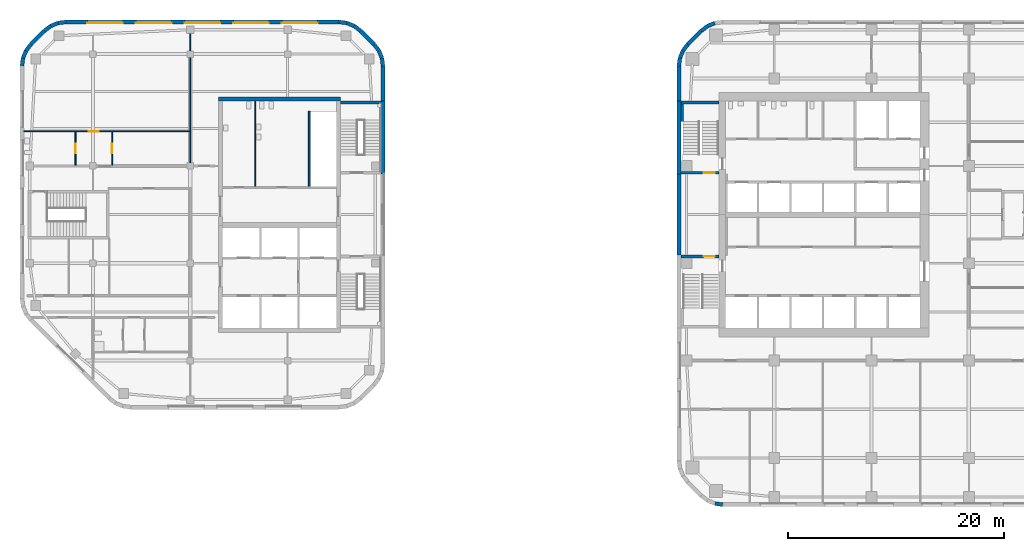
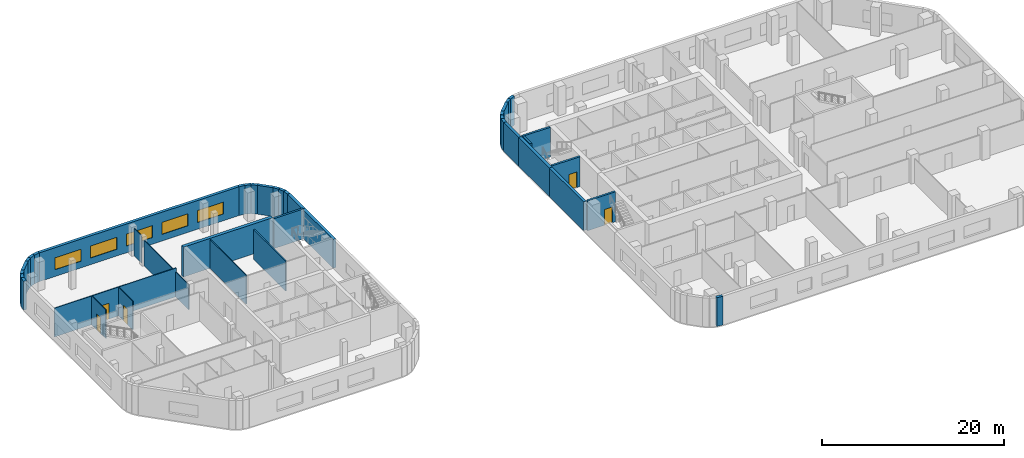
# One storey, part 7 of 14: 41 walls, 5 doors, 5 windows, 10 openings.
"""IFC4 building model written with IfcOpenShell, lengths in metres."""

import ifcopenshell
import ifcopenshell.guid

model = None  # the IFC model being written
_history = None  # IfcOwnerHistory: only IFC2X3 demands one
_inside = {}  # id of a spatial element -> (the spatial element, [elements in it])
_under = {}  # id of a project, library or spatial element -> (it, [spatial elements below it])
_declared = {}  # id of a project -> (the project, [libraries it declares])
_typed = {}  # id of a type object -> (the type object, [elements of that type])
_made_of = {}  # id of a material, layer set ... -> (it, [elements and type objects made of it])


def new_model(schema):
    """Start an empty IFC model of exactly this schema.

    Asked for "IFC4X3", IfcOpenShell would pick the latest addendum, in which some entities
    have other attributes; the version numbers below select the first issue.
    IFC2X3 requires an IfcOwnerHistory on every rooted entity: one is made here for all.
    """
    global model, _history
    if schema == "IFC4X3":
        model = ifcopenshell.file(schema_version=(4, 3, 0, 0))
    else:
        model = ifcopenshell.file(schema=schema)
    _inside.clear()
    _under.clear()
    _declared.clear()
    _typed.clear()
    _made_of.clear()
    _history = None
    if model.schema == "IFC2X3":
        org = make("IfcOrganization", Name="unknown")
        user = make(
            "IfcPersonAndOrganization",
            ThePerson=make("IfcPerson", FamilyName="unknown"),
            TheOrganization=org,
        )
        app = make(
            "IfcApplication",
            ApplicationDeveloper=org,
            Version="unknown",
            ApplicationFullName="unknown",
            ApplicationIdentifier="unknown",
        )
        _history = make(
            "IfcOwnerHistory",
            OwningUser=user,
            OwningApplication=app,
            ChangeAction="ADDED",
            CreationDate=0,
        )
    return model


def make(cls, **values):
    """One entity of the class cls with the attributes given. An attribute that is None is left unset."""
    return model.create_entity(
        cls, **{name: value for name, value in values.items() if value is not None}
    )


def rooted(cls, **values):
    """An entity with a GlobalId (a new one), such as an element, a storey or a relation."""
    return make(cls, GlobalId=ifcopenshell.guid.new(), OwnerHistory=_history, **values)


def si_unit(unit_type, name, prefix=None):
    """IfcSIUnit, for example si_unit("LENGTHUNIT", "METRE", prefix="MILLI")."""
    return make("IfcSIUnit", UnitType=unit_type, Prefix=prefix, Name=name)


def assignment(units):
    """IfcUnitAssignment: the units of a project."""
    return None if units is None else make("IfcUnitAssignment", Units=units)


def point(xyz):
    """IfcCartesianPoint."""
    return None if xyz is None else make("IfcCartesianPoint", Coordinates=xyz)


def direction(xyz):
    """IfcDirection."""
    return None if xyz is None else make("IfcDirection", DirectionRatios=xyz)


def frame(location, z_axis=None, x_axis=None):
    """IfcAxis2Placement3D, a coordinate frame: its origin and axes. An axis left out is left unset."""
    return make(
        "IfcAxis2Placement3D",
        Location=point(location),
        Axis=direction(z_axis),
        RefDirection=direction(x_axis),
    )


def frame_2d(location, x_axis=None):
    """IfcAxis2Placement2D, a coordinate frame in the plane: its origin and x axis."""
    return make(
        "IfcAxis2Placement2D", Location=point(location), RefDirection=direction(x_axis)
    )


def origin():
    """The frame at (0, 0, 0) with its axes left unset."""
    return frame((0.0, 0.0, 0.0))


def place(relative_to, where):
    """IfcLocalPlacement: puts the frame where relative to a parent placement (None: the world)."""
    return make(
        "IfcLocalPlacement", PlacementRelTo=relative_to, RelativePlacement=where
    )


def context(
    kind, dimensions, precision=None, world=None, true_north=None, identifier=None
):
    """IfcGeometricRepresentationContext, for example the 3D "Model" context."""
    return make(
        "IfcGeometricRepresentationContext",
        ContextIdentifier=identifier,
        ContextType=kind,
        CoordinateSpaceDimension=dimensions,
        Precision=precision,
        WorldCoordinateSystem=world,
        TrueNorth=true_north,
    )


def subcontext(parent, identifier, kind, view, scale=None):
    """IfcGeometricRepresentationSubContext, for example "Body" below "Model"."""
    return make(
        "IfcGeometricRepresentationSubContext",
        ContextIdentifier=identifier,
        ContextType=kind,
        ParentContext=parent,
        TargetScale=scale,
        TargetView=view,
    )


def project(units=None, contexts=None):
    """IfcProject with its units and contexts."""
    return rooted(
        "IfcProject",
        Name="project",
        RepresentationContexts=contexts,
        UnitsInContext=assignment(units),
    )


def spatial(cls, under=None, at=None, **own):
    """A site, building, storey or space (cls), placed at a placement, below another one or the project."""
    s = rooted(cls, ObjectPlacement=at, **own)
    if under is not None:
        _under.setdefault(under.id(), (under, []))[1].append(s)
    return s


def profile(cls, at=None, kind="AREA", **sizes):
    """A parametric profile (cls). Its sizes go by their IFC names, for example OverallWidth=200.0."""
    return make(cls, ProfileType=kind, Position=at, **sizes)


def rectangle(**sizes):
    """IfcRectangleProfileDef."""
    return profile("IfcRectangleProfileDef", **sizes)


def extrude(swept, where, along, depth):
    """IfcExtrudedAreaSolid: the profile swept, set in the frame where, extruded along a direction by depth."""
    return make(
        "IfcExtrudedAreaSolid",
        SweptArea=swept,
        Position=where,
        ExtrudedDirection=direction(along),
        Depth=depth,
    )


def shape(context_of_items, identifier, shape_type, items):
    """IfcShapeRepresentation: the items that make up one representation, for example the "Body"."""
    return make(
        "IfcShapeRepresentation",
        ContextOfItems=context_of_items,
        RepresentationIdentifier=identifier,
        RepresentationType=shape_type,
        Items=items,
    )


def material(Name=None, Category=None):
    """IfcMaterial."""
    return make("IfcMaterial", Name=Name, Category=Category)


def layer(
    of_material, thickness, ventilated=None, Name=None, Category=None, Priority=None
):
    """IfcMaterialLayer: one layer of a wall or slab, of a material (None: an air gap)."""
    return make(
        "IfcMaterialLayer",
        Material=of_material,
        LayerThickness=thickness,
        IsVentilated=ventilated,
        Name=Name,
        Category=Category,
        Priority=Priority,
    )


def layer_set(layers, Name=None):
    """IfcMaterialLayerSet."""
    return make("IfcMaterialLayerSet", MaterialLayers=layers, LayerSetName=Name)


def made_of(thing, what):
    """Note that an element or type object is made of a material, layer set ...; save() writes the relation."""
    if what is not None:
        _made_of.setdefault(what.id(), (what, []))[1].append(thing)
    return thing


def type_object(cls, material=None, **own):
    """A type object (cls), such as IfcWallType, which elements share."""
    return made_of(rooted(cls, **own), material)


def element(
    cls,
    number,
    at=None,
    inside=None,
    cuts=None,
    type_object=None,
    material=None,
    context=None,
    identifier="Body",
    shape_type=None,
    held_by="IfcProductDefinitionShape",
    body=None,
    shapes=None,
    **own,
):
    """One element of the class cls, such as IfcWall. Its Tag is "e" and its number.

    at: its placement. inside: the storey or other place that contains it. cuts: it is an
    opening in that element (IfcRelVoidsElement). A single representation is given by context,
    identifier, shape_type and body (its items); several are given by shapes. held_by: the class
    of the entity that holds the representations. save() writes the other relations.
    """
    e = rooted(cls, Tag="e%d" % number, ObjectPlacement=at, **own)
    if body is not None:
        shapes = [shape(context, identifier, shape_type, body)]
    if shapes is not None:
        e.Representation = make(held_by, Representations=shapes)
    if inside is not None:
        _inside.setdefault(inside.id(), (inside, []))[1].append(e)
    if cuts is not None:
        rooted(
            "IfcRelVoidsElement", RelatingBuildingElement=cuts, RelatedOpeningElement=e
        )
    if type_object is not None:
        _typed.setdefault(type_object.id(), (type_object, []))[1].append(e)
    return made_of(e, material)


def fill(opening, filler):
    """IfcRelFillsElement: the door or window that sits in an opening."""
    return rooted(
        "IfcRelFillsElement",
        RelatingOpeningElement=opening,
        RelatedBuildingElement=filler,
    )


def aggregate(whole, parts):
    """IfcRelAggregates: a whole, such as a stair, and the parts it consists of."""
    return rooted("IfcRelAggregates", RelatingObject=whole, RelatedObjects=parts)


def save(model, path):
    """Write the relations noted so far, then the file.

    IfcRelAggregates (storeys below a building ...), IfcRelContainedInSpatialStructure (elements
    in a storey), IfcRelDefinesByType, IfcRelAssociatesMaterial and IfcRelDeclares: one each for
    every whole, place, type object, material and project.
    """
    for whole, parts in _under.values():
        aggregate(whole, parts)
    for where, things in _inside.values():
        rooted(
            "IfcRelContainedInSpatialStructure",
            RelatedElements=things,
            RelatingStructure=where,
        )
    for kind, things in _typed.values():
        rooted("IfcRelDefinesByType", RelatedObjects=things, RelatingType=kind)
    for what, things in _made_of.values():
        rooted("IfcRelAssociatesMaterial", RelatedObjects=things, RelatingMaterial=what)
    for by, libraries in _declared.values():
        rooted("IfcRelDeclares", RelatingContext=by, RelatedDefinitions=libraries)
    model.write(path)


model = new_model("IFC4")

# Units and contexts
model_context = context("Model", 3, precision=1e-05, world=origin(), true_north=direction((0.0, 1.0)))
body_context = subcontext(model_context, "Body", "Model", "MODEL_VIEW")
ifc_project = project(units=[si_unit("LENGTHUNIT", "METRE"), si_unit("AREAUNIT", "SQUARE_METRE"), si_unit("VOLUMEUNIT", "CUBIC_METRE"), si_unit("PLANEANGLEUNIT", "RADIAN"), si_unit("MASSUNIT", "GRAM", prefix="KILO")], contexts=[model_context])

# Site, building, storey
site_placement = place(None, origin())
site = spatial("IfcSite", under=ifc_project, at=site_placement, CompositionType="ELEMENT")
building_placement = place(site_placement, origin())
building = spatial("IfcBuilding", under=site, at=building_placement, Name="Cinnabar Reach Civic Tower", CompositionType="ELEMENT")
storey_placement = place(building_placement, frame((0.0, 0.0, 124.0)))
storey = spatial("IfcBuildingStorey", under=building, at=storey_placement, Name="L29", CompositionType="ELEMENT", Elevation=124.0)

# Walls
ifc_material_1 = material(Name="Facing brick with insulated backing", Category="masonry")
ifc_layer_1 = layer(ifc_material_1, 0.36)
ifc_layer_set_1 = layer_set([ifc_layer_1], Name="Brick corner wall")
wall_type_1 = type_object("IfcWallType", Name="Brick corner wall", PredefinedType="STANDARD", material=ifc_layer_set_1)
wall_1_placement = place(storey_placement, frame((3.5027, 49.2181, 0.0), z_axis=(0.0, 0.0, 1.0), x_axis=(-0.923871547278, -0.382702709855, 0.0)))
element("IfcWall", 1, at=wall_1_placement, inside=storey, type_object=wall_type_1, Name="Brick corner wall", PredefinedType="STANDARD", context=body_context, shape_type="SweptSolid", body=[
    extrude(rectangle(XDim=0.7131, YDim=0.36, at=frame_2d((0.3565, 0.0))), origin(), (0.0, 0.0, 1.0), 3.85),
])
for number, where, z_axis, x_axis, name in (
    (2, (2.8245, 48.934, 0.0), (0.0, 0.0, 1.0), (-0.793321924995, -0.608802368033, 0.0), "Brick corner wall"),
    (3, (1.0002, 47.2413, 0.0), (0.0, 0.0, 1.0), (-0.608802368033, -0.793321924995, 0.0), "Brick corner wall"),
):
    element("IfcWall", number, at=place(storey_placement, frame(where, z_axis=z_axis, x_axis=x_axis)), inside=storey, type_object=wall_type_1, Name=name, PredefinedType="STANDARD", context=body_context, shape_type="SweptSolid", body=[
        extrude(rectangle(XDim=0.7132, YDim=0.36, at=frame_2d((0.3566, 0.0))), origin(), (0.0, 0.0, 1.0), 3.85),
    ])
for number, where, z_axis, x_axis, name in (
    (4, (0.5548, 46.6561, 0.0), (0.0, 0.0, 1.0), (-0.382702709855, -0.923871547278, 0.0), "Brick corner wall"),
    (5, (0.2761, 45.9756, 0.0), (0.0, 0.0, 1.0), (-0.13055608231, -0.99144092581, 0.0), "Brick corner wall"),
    (6, (3.5244, 4.7761, 0.0), (0.0, 0.0, 1.0), (0.99144092581, -0.13055608231, 0.0), "Brick corner wall"),
    (7, (-27.183, 45.2686, 0.0), (0.0, 0.0, 1.0), (-0.13055608231, 0.99144092581, 0.0), "Brick corner wall"),
    (8, (-27.2819, 45.9973, 0.0), (0.0, 0.0, 1.0), (-0.382702709855, 0.923871547278, 0.0), "Brick corner wall"),
):
    element("IfcWall", number, at=place(storey_placement, frame(where, z_axis=z_axis, x_axis=x_axis)), inside=storey, type_object=wall_type_1, Name=name, PredefinedType="STANDARD", context=body_context, shape_type="SweptSolid", body=[
        extrude(rectangle(XDim=0.7131, YDim=0.36, at=frame_2d((0.3565, 0.0))), origin(), (0.0, 0.0, 1.0), 3.85),
    ])
for number, where, z_axis, x_axis, name in (
    (9, (-27.566, 46.6755, 0.0), (0.0, 0.0, 1.0), (-0.608802368033, 0.793321924995, 0.0), "Brick corner wall"),
    (10, (-29.2587, 48.4998, 0.0), (0.0, 0.0, 1.0), (-0.793321924995, 0.608802368033, 0.0), "Brick corner wall"),
):
    element("IfcWall", number, at=place(storey_placement, frame(where, z_axis=z_axis, x_axis=x_axis)), inside=storey, type_object=wall_type_1, Name=name, PredefinedType="STANDARD", context=body_context, shape_type="SweptSolid", body=[
        extrude(rectangle(XDim=0.7132, YDim=0.36, at=frame_2d((0.3566, 0.0))), origin(), (0.0, 0.0, 1.0), 3.85),
    ])
for number, where, z_axis, x_axis, name in (
    (11, (-29.8439, 48.9452, 0.0), (0.0, 0.0, 1.0), (-0.923871547278, 0.382702709855, 0.0), "Brick corner wall"),
    (12, (-30.5244, 49.2239, 0.0), (0.0, 0.0, 1.0), (-0.99144092581, 0.13055608231, 0.0), "Brick corner wall"),
    (13, (-56.5186, 49.317, 0.0), (0.0, 0.0, 1.0), (-0.99144092581, -0.13055608231, 0.0), "Brick corner wall"),
    (14, (-57.2473, 49.2181, 0.0), (0.0, 0.0, 1.0), (-0.923871547278, -0.382702709855, 0.0), "Brick corner wall"),
):
    element("IfcWall", number, at=place(storey_placement, frame(where, z_axis=z_axis, x_axis=x_axis)), inside=storey, type_object=wall_type_1, Name=name, PredefinedType="STANDARD", context=body_context, shape_type="SweptSolid", body=[
        extrude(rectangle(XDim=0.7131, YDim=0.36, at=frame_2d((0.3565, 0.0))), origin(), (0.0, 0.0, 1.0), 3.85),
    ])
for number, where, z_axis, x_axis, name in (
    (15, (-57.9255, 48.934, 0.0), (0.0, 0.0, 1.0), (-0.793321924995, -0.608802368033, 0.0), "Brick corner wall"),
    (16, (-59.7498, 47.2413, 0.0), (0.0, 0.0, 1.0), (-0.608802368033, -0.793321924995, 0.0), "Brick corner wall"),
):
    element("IfcWall", number, at=place(storey_placement, frame(where, z_axis=z_axis, x_axis=x_axis)), inside=storey, type_object=wall_type_1, Name=name, PredefinedType="STANDARD", context=body_context, shape_type="SweptSolid", body=[
        extrude(rectangle(XDim=0.7132, YDim=0.36, at=frame_2d((0.3566, 0.0))), origin(), (0.0, 0.0, 1.0), 3.85),
    ])
for number, where, z_axis, x_axis, name in (
    (17, (-60.1952, 46.6561, 0.0), (0.0, 0.0, 1.0), (-0.382702709855, -0.923871547278, 0.0), "Brick corner wall"),
    (18, (-60.4739, 45.9756, 0.0), (0.0, 0.0, 1.0), (-0.13055608231, -0.99144092581, 0.0), "Brick corner wall"),
):
    element("IfcWall", number, at=place(storey_placement, frame(where, z_axis=z_axis, x_axis=x_axis)), inside=storey, type_object=wall_type_1, Name=name, PredefinedType="STANDARD", context=body_context, shape_type="SweptSolid", body=[
        extrude(rectangle(XDim=0.7131, YDim=0.36, at=frame_2d((0.3565, 0.0))), origin(), (0.0, 0.0, 1.0), 3.85),
    ])
ifc_layer_2 = layer(ifc_material_1, 0.36)
ifc_layer_set_2 = layer_set([ifc_layer_2], Name="Brick pier and spandrel wall")
wall_type_2 = type_object("IfcWallType", Name="Brick pier and spandrel wall", PredefinedType="STANDARD", material=ifc_layer_set_2)
wall_2_placement = place(storey_placement, frame((2.2486, 48.494, 0.0), z_axis=(0.0, 0.0, 1.0), x_axis=(-0.707106781187, -0.707106781187, 0.0)))
element("IfcWall", 19, at=wall_2_placement, inside=storey, type_object=wall_type_2, Name="Brick facade wall", PredefinedType="STANDARD", context=body_context, shape_type="SweptSolid", body=[
    extrude(rectangle(XDim=1.7573, YDim=0.36, at=frame_2d((0.8787, 0.0))), origin(), (0.0, 0.0, 1.0), 3.85),
])
wall_3_placement = place(storey_placement, frame((0.18, 45.2574, 0.0), z_axis=(0.0, 0.0, 1.0), x_axis=(0.0, -1.0, 0.0)))
element("IfcWall", 20, at=wall_3_placement, inside=storey, type_object=wall_type_2, Name="Brick facade wall", PredefinedType="STANDARD", context=body_context, shape_type="SweptSolid", body=[
    extrude(rectangle(XDim=3.2574, YDim=0.36, at=frame_2d((1.6287, 0.0))), origin(), (0.0, 0.0, 1.0), 3.85),
])
wall_4_placement = place(storey_placement, frame((0.18, 42.0, 0.0), z_axis=(0.0, 0.0, 1.0), x_axis=(0.0, -1.0, 0.0)))
element("IfcWall", 21, at=wall_4_placement, inside=storey, type_object=wall_type_2, Name="Brick facade wall", PredefinedType="STANDARD", context=body_context, shape_type="SweptSolid", body=[
    extrude(rectangle(XDim=6.75, YDim=0.36, at=frame_2d((3.375, 0.0))), origin(), (0.0, 0.0, 1.0), 3.85),
])
wall_5_placement = place(storey_placement, frame((0.18, 35.25, 0.0), z_axis=(0.0, 0.0, 1.0), x_axis=(0.0, -1.0, 0.0)))
element("IfcWall", 22, at=wall_5_placement, inside=storey, type_object=wall_type_2, Name="Brick facade wall", PredefinedType="STANDARD", context=body_context, shape_type="SweptSolid", body=[
    extrude(rectangle(XDim=7.5, YDim=0.36, at=frame_2d((3.75, 0.0))), origin(), (0.0, 0.0, 1.0), 3.85),
])
wall_6_placement = place(storey_placement, frame((-27.18, 35.25, 0.0), z_axis=(0.0, 0.0, 1.0), x_axis=(0.0, 1.0, 0.0)))
element("IfcWall", 23, at=wall_6_placement, inside=storey, type_object=wall_type_2, Name="Brick facade wall", PredefinedType="STANDARD", context=body_context, shape_type="SweptSolid", body=[
    extrude(rectangle(XDim=6.75, YDim=0.36, at=frame_2d((3.375, 0.0))), origin(), (0.0, 0.0, 1.0), 3.85),
])
wall_7_placement = place(storey_placement, frame((-27.18, 42.0, 0.0), z_axis=(0.0, 0.0, 1.0), x_axis=(0.0, 1.0, 0.0)))
element("IfcWall", 24, at=wall_7_placement, inside=storey, type_object=wall_type_2, Name="Brick facade wall", PredefinedType="STANDARD", context=body_context, shape_type="SweptSolid", body=[
    extrude(rectangle(XDim=3.2574, YDim=0.36, at=frame_2d((1.6287, 0.0))), origin(), (0.0, 0.0, 1.0), 3.85),
])
wall_8_placement = place(storey_placement, frame((-28.006, 47.2514, 0.0), z_axis=(0.0, 0.0, 1.0), x_axis=(-0.707106781187, 0.707106781187, 0.0)))
element("IfcWall", 25, at=wall_8_placement, inside=storey, type_object=wall_type_2, Name="Brick facade wall", PredefinedType="STANDARD", context=body_context, shape_type="SweptSolid", body=[
    extrude(rectangle(XDim=1.7573, YDim=0.36, at=frame_2d((0.8787, 0.0))), origin(), (0.0, 0.0, 1.0), 3.85),
])

# Wall, openings, windows
wall_9_placement = place(storey_placement, frame((-31.2426, 49.32, 0.0), z_axis=(0.0, 0.0, 1.0), x_axis=(-1.0, 0.0, 0.0)))
wall_9 = element("IfcWall", 26, at=wall_9_placement, inside=storey, type_object=wall_type_2, Name="Brick facade wall", PredefinedType="STANDARD", context=body_context, shape_type="SweptSolid", body=[
    extrude(rectangle(XDim=25.2648, YDim=0.36, at=frame_2d((12.6324, 0.0))), origin(), (0.0, 0.0, 1.0), 3.85),
])
opening_1_placement = place(wall_9_placement, frame((1.9824, 0.0, 0.9)))
opening_1 = element("IfcOpeningElement", 27, at=opening_1_placement, cuts=wall_9, Name="Opening W2755", PredefinedType="OPENING", context=body_context, shape_type="SweptSolid", body=[
    extrude(rectangle(XDim=3.3, YDim=1.6, at=frame_2d((1.65, 0.8))), frame((0.0, 0.19, 0.0), z_axis=(0.0, -1.0, 0.0), x_axis=(1.0, 0.0, 0.0)), (0.0, 0.0, 1.0), 0.38),
])
opening_2_placement = place(wall_9_placement, frame((6.4824, 0.0, 0.9)))
opening_2 = element("IfcOpeningElement", 28, at=opening_2_placement, cuts=wall_9, Name="Opening W2756", PredefinedType="OPENING", context=body_context, shape_type="SweptSolid", body=[
    extrude(rectangle(XDim=3.3, YDim=1.6, at=frame_2d((1.65, 0.8))), frame((0.0, 0.19, 0.0), z_axis=(0.0, -1.0, 0.0), x_axis=(1.0, 0.0, 0.0)), (0.0, 0.0, 1.0), 0.38),
])
opening_3_placement = place(wall_9_placement, frame((10.9824, 0.0, 0.9)))
opening_3 = element("IfcOpeningElement", 29, at=opening_3_placement, cuts=wall_9, Name="Opening W2757", PredefinedType="OPENING", context=body_context, shape_type="SweptSolid", body=[
    extrude(rectangle(XDim=3.3, YDim=1.6, at=frame_2d((1.65, 0.8))), frame((0.0, 0.19, 0.0), z_axis=(0.0, -1.0, 0.0), x_axis=(1.0, 0.0, 0.0)), (0.0, 0.0, 1.0), 0.38),
])
opening_4_placement = place(wall_9_placement, frame((15.4824, 0.0, 0.9)))
opening_4 = element("IfcOpeningElement", 30, at=opening_4_placement, cuts=wall_9, Name="Opening W2758", PredefinedType="OPENING", context=body_context, shape_type="SweptSolid", body=[
    extrude(rectangle(XDim=3.3, YDim=1.6, at=frame_2d((1.65, 0.8))), frame((0.0, 0.19, 0.0), z_axis=(0.0, -1.0, 0.0), x_axis=(1.0, 0.0, 0.0)), (0.0, 0.0, 1.0), 0.38),
])
opening_5_placement = place(wall_9_placement, frame((19.9824, 0.0, 0.9)))
opening_5 = element("IfcOpeningElement", 31, at=opening_5_placement, cuts=wall_9, Name="Opening W2759", PredefinedType="OPENING", context=body_context, shape_type="SweptSolid", body=[
    extrude(rectangle(XDim=3.3, YDim=1.6, at=frame_2d((1.65, 0.8))), frame((0.0, 0.19, 0.0), z_axis=(0.0, -1.0, 0.0), x_axis=(1.0, 0.0, 0.0)), (0.0, 0.0, 1.0), 0.38),
])
ifc_material_2 = material(Name="Clear double glazing in aluminium frame", Category="aluminium")
window_type = type_object("IfcWindowType", Name="Deep-set window A", PartitioningType="SINGLE_PANEL", PredefinedType="WINDOW", material=ifc_material_2)
window_1_placement = place(opening_1_placement, origin())
window_1 = element("IfcWindow", 32, at=window_1_placement, inside=storey, type_object=window_type, Name="Window north face", OverallHeight=1.6, OverallWidth=3.3, PartitioningType="SINGLE_PANEL", PredefinedType="WINDOW", context=body_context, shape_type="SweptSolid", body=[
    extrude(rectangle(XDim=3.3, YDim=1.6, at=frame_2d((1.65, 0.8))), frame((0.0, 0.13, 0.0), z_axis=(0.0, -1.0, 0.0), x_axis=(1.0, 0.0, 0.0)), (0.0, 0.0, 1.0), 0.06),
])
fill(opening_1, window_1)
window_2_placement = place(opening_2_placement, origin())
window_2 = element("IfcWindow", 33, at=window_2_placement, inside=storey, type_object=window_type, Name="Window north face", OverallHeight=1.6, OverallWidth=3.3, PartitioningType="SINGLE_PANEL", PredefinedType="WINDOW", context=body_context, shape_type="SweptSolid", body=[
    extrude(rectangle(XDim=3.3, YDim=1.6, at=frame_2d((1.65, 0.8))), frame((0.0, 0.13, 0.0), z_axis=(0.0, -1.0, 0.0), x_axis=(1.0, 0.0, 0.0)), (0.0, 0.0, 1.0), 0.06),
])
fill(opening_2, window_2)
window_3_placement = place(opening_3_placement, origin())
window_3 = element("IfcWindow", 34, at=window_3_placement, inside=storey, type_object=window_type, Name="Window north face", OverallHeight=1.6, OverallWidth=3.3, PartitioningType="SINGLE_PANEL", PredefinedType="WINDOW", context=body_context, shape_type="SweptSolid", body=[
    extrude(rectangle(XDim=3.3, YDim=1.6, at=frame_2d((1.65, 0.8))), frame((0.0, 0.13, 0.0), z_axis=(0.0, -1.0, 0.0), x_axis=(1.0, 0.0, 0.0)), (0.0, 0.0, 1.0), 0.06),
])
fill(opening_3, window_3)
window_4_placement = place(opening_4_placement, origin())
window_4 = element("IfcWindow", 35, at=window_4_placement, inside=storey, type_object=window_type, Name="Window north face", OverallHeight=1.6, OverallWidth=3.3, PartitioningType="SINGLE_PANEL", PredefinedType="WINDOW", context=body_context, shape_type="SweptSolid", body=[
    extrude(rectangle(XDim=3.3, YDim=1.6, at=frame_2d((1.65, 0.8))), frame((0.0, 0.13, 0.0), z_axis=(0.0, -1.0, 0.0), x_axis=(1.0, 0.0, 0.0)), (0.0, 0.0, 1.0), 0.06),
])
fill(opening_4, window_4)
window_5_placement = place(opening_5_placement, origin())
window_5 = element("IfcWindow", 36, at=window_5_placement, inside=storey, type_object=window_type, Name="Window north face", OverallHeight=1.6, OverallWidth=3.3, PartitioningType="SINGLE_PANEL", PredefinedType="WINDOW", context=body_context, shape_type="SweptSolid", body=[
    extrude(rectangle(XDim=3.3, YDim=1.6, at=frame_2d((1.65, 0.8))), frame((0.0, 0.13, 0.0), z_axis=(0.0, -1.0, 0.0), x_axis=(1.0, 0.0, 0.0)), (0.0, 0.0, 1.0), 0.06),
])
fill(opening_5, window_5)

# Walls
wall_10_placement = place(storey_placement, frame((-58.5014, 48.494, 0.0), z_axis=(0.0, 0.0, 1.0), x_axis=(-0.707106781187, -0.707106781187, 0.0)))
element("IfcWall", 37, at=wall_10_placement, inside=storey, type_object=wall_type_2, Name="Brick facade wall", PredefinedType="STANDARD", context=body_context, shape_type="SweptSolid", body=[
    extrude(rectangle(XDim=1.7573, YDim=0.36, at=frame_2d((0.8787, 0.0))), origin(), (0.0, 0.0, 1.0), 3.85),
])
ifc_material_3 = material(Name="Concrete C60", Category="concrete")
ifc_layer_3 = layer(ifc_material_3, 0.4)
ifc_layer_set_3 = layer_set([ifc_layer_3], Name="Core wall 400 EI 180")
wall_type_3 = type_object("IfcWallType", Name="Core wall 400 EI 180", PredefinedType="SOLIDWALL", material=ifc_layer_set_3)
wall_11_placement = place(storey_placement, frame((-31.1, 42.2, 0.0), z_axis=(0.0, 0.0, 1.0), x_axis=(-1.0, 0.0, 0.0)))
element("IfcWall", 38, at=wall_11_placement, inside=storey, type_object=wall_type_3, Name="Core wall T2 L29 N", PredefinedType="SOLIDWALL", context=body_context, shape_type="SweptSolid", body=[
    extrude(rectangle(XDim=11.3, YDim=0.4, at=frame_2d((5.65, 0.0))), origin(), (0.0, 0.0, 1.0), 4.0),
])

# Wall, opening, door
ifc_material_4 = material(Name="Gypsum board on steel studs", Category="steel")
ifc_layer_4 = layer(ifc_material_4, 0.1)
ifc_layer_set_4 = layer_set([ifc_layer_4], Name="Partition wall 100 T2")
wall_type_4 = type_object("IfcWallType", Name="Partition wall 100 T2", PredefinedType="PARTITIONING", material=ifc_layer_set_4)
wall_12_placement = place(storey_placement, frame((-60.39, 39.2, 0.0), z_axis=(0.0, 0.0, 1.0), x_axis=(1.0, 0.0, 0.0)))
wall_12 = element("IfcWall", 39, at=wall_12_placement, inside=storey, type_object=wall_type_4, Name="Partition wall 9", PredefinedType="PARTITIONING", context=body_context, shape_type="SweptSolid", body=[
    extrude(rectangle(XDim=15.44, YDim=0.1, at=frame_2d((7.72, 0.0))), origin(), (0.0, 0.0, 1.0), 3.85),
])
opening_6_placement = place(wall_12_placement, frame((6.0209, 0.0, 0.0)))
opening_6 = element("IfcOpeningElement", 40, at=opening_6_placement, cuts=wall_12, Name="Opening D7063", PredefinedType="OPENING", context=body_context, shape_type="SweptSolid", body=[
    extrude(rectangle(XDim=0.9, YDim=2.1, at=frame_2d((0.45, 1.05))), frame((0.0, 0.06, 0.0), z_axis=(0.0, -1.0, 0.0), x_axis=(1.0, 0.0, 0.0)), (0.0, 0.0, 1.0), 0.12),
])
ifc_material_5 = material(Name="Timber door leaf in steel frame", Category="steel")
door_type_1 = type_object("IfcDoorType", Name="Single swing door 900 x 2100 T2", OperationType="SINGLE_SWING_LEFT", PredefinedType="DOOR", material=ifc_material_5)
door_1_placement = place(opening_6_placement, frame((0.9, 0.0, 0.0), z_axis=(0.0, 0.0, 1.0), x_axis=(-1.0, 0.0, 0.0)))
door_1 = element("IfcDoor", 41, at=door_1_placement, inside=storey, type_object=door_type_1, Name="Door D7063", OperationType="SINGLE_SWING_LEFT", OverallHeight=2.1, OverallWidth=0.9, PredefinedType="DOOR", context=body_context, shape_type="SweptSolid", body=[
    extrude(rectangle(XDim=0.9, YDim=2.1, at=frame_2d((0.45, 1.05))), frame((0.0, 0.025, 0.0), z_axis=(0.0, -1.0, 0.0), x_axis=(1.0, 0.0, 0.0)), (0.0, 0.0, 1.0), 0.05),
])
fill(opening_6, door_1)

# Walls
wall_13_placement = place(storey_placement, frame((-45.0, 39.25, 0.0), z_axis=(0.0, 0.0, 1.0), x_axis=(0.0, 1.0, 0.0)))
element("IfcWall", 42, at=wall_13_placement, inside=storey, type_object=wall_type_4, Name="Partition wall 10", PredefinedType="PARTITIONING", context=body_context, shape_type="SweptSolid", body=[
    extrude(rectangle(XDim=6.8, YDim=0.1, at=frame_2d((3.4, 0.0))), origin(), (0.0, 0.0, 1.0), 3.362),
])
wall_14_placement = place(storey_placement, frame((-45.0, 36.3, 0.0), z_axis=(0.0, 0.0, 1.0), x_axis=(0.0, 1.0, 0.0)))
element("IfcWall", 43, at=wall_14_placement, inside=storey, type_object=wall_type_4, Name="Partition wall 11", PredefinedType="PARTITIONING", context=body_context, shape_type="SweptSolid", body=[
    extrude(rectangle(XDim=2.85, YDim=0.1, at=frame_2d((1.425, 0.0))), origin(), (0.0, 0.0, 1.0), 3.362),
])
wall_15_placement = place(storey_placement, frame((-45.0, 46.65, 0.0), z_axis=(0.0, 0.0, 1.0), x_axis=(0.0, 1.0, 0.0)))
element("IfcWall", 44, at=wall_15_placement, inside=storey, type_object=wall_type_4, Name="Partition wall 12", PredefinedType="PARTITIONING", context=body_context, shape_type="SweptSolid", body=[
    extrude(rectangle(XDim=1.6, YDim=0.1, at=frame_2d((0.8, 0.0))), origin(), (0.0, 0.0, 1.0), 3.652),
])

# Wall, opening, door
wall_16_placement = place(storey_placement, frame((-55.6191, 36.075, 0.0), z_axis=(0.0, 0.0, 1.0), x_axis=(0.0, 1.0, 0.0)))
wall_16 = element("IfcWall", 45, at=wall_16_placement, inside=storey, type_object=wall_type_4, Name="Partition wall 21", PredefinedType="PARTITIONING", context=body_context, shape_type="SweptSolid", body=[
    extrude(rectangle(XDim=3.075, YDim=0.1, at=frame_2d((1.5375, 0.0))), origin(), (0.0, 0.0, 1.0), 3.85),
])
opening_7_placement = place(wall_16_placement, frame((1.1, 0.0, 0.0)))
opening_7 = element("IfcOpeningElement", 46, at=opening_7_placement, cuts=wall_16, Name="Opening D7061", PredefinedType="OPENING", context=body_context, shape_type="SweptSolid", body=[
    extrude(rectangle(XDim=0.9, YDim=2.1, at=frame_2d((0.45, 1.05))), frame((0.0, 0.06, 0.0), z_axis=(0.0, -1.0, 0.0), x_axis=(1.0, 0.0, 0.0)), (0.0, 0.0, 1.0), 0.12),
])
door_2_placement = place(opening_7_placement, origin())
door_2 = element("IfcDoor", 47, at=door_2_placement, inside=storey, type_object=door_type_1, Name="Door D7061", OperationType="SINGLE_SWING_RIGHT", OverallHeight=2.1, OverallWidth=0.9, PredefinedType="DOOR", context=body_context, shape_type="SweptSolid", body=[
    extrude(rectangle(XDim=0.9, YDim=2.1, at=frame_2d((0.45, 1.05))), frame((0.0, 0.025, 0.0), z_axis=(0.0, -1.0, 0.0), x_axis=(1.0, 0.0, 0.0)), (0.0, 0.0, 1.0), 0.05),
])
fill(opening_7, door_2)

wall_17_placement = place(storey_placement, frame((-52.2333, 36.075, 0.0), z_axis=(0.0, 0.0, 1.0), x_axis=(0.0, 1.0, 0.0)))
wall_17 = element("IfcWall", 48, at=wall_17_placement, inside=storey, type_object=wall_type_4, Name="Partition wall 22", PredefinedType="PARTITIONING", context=body_context, shape_type="SweptSolid", body=[
    extrude(rectangle(XDim=3.075, YDim=0.1, at=frame_2d((1.5375, 0.0))), origin(), (0.0, 0.0, 1.0), 3.85),
])
opening_8_placement = place(wall_17_placement, frame((1.1, 0.0, 0.0)))
opening_8 = element("IfcOpeningElement", 49, at=opening_8_placement, cuts=wall_17, Name="Opening D7062", PredefinedType="OPENING", context=body_context, shape_type="SweptSolid", body=[
    extrude(rectangle(XDim=0.9, YDim=2.1, at=frame_2d((0.45, 1.05))), frame((0.0, 0.06, 0.0), z_axis=(0.0, -1.0, 0.0), x_axis=(1.0, 0.0, 0.0)), (0.0, 0.0, 1.0), 0.12),
])
door_3_placement = place(opening_8_placement, origin())
door_3 = element("IfcDoor", 50, at=door_3_placement, inside=storey, type_object=door_type_1, Name="Door D7062", OperationType="SINGLE_SWING_RIGHT", OverallHeight=2.1, OverallWidth=0.9, PredefinedType="DOOR", context=body_context, shape_type="SweptSolid", body=[
    extrude(rectangle(XDim=0.9, YDim=2.1, at=frame_2d((0.45, 1.05))), frame((0.0, 0.025, 0.0), z_axis=(0.0, -1.0, 0.0), x_axis=(1.0, 0.0, 0.0)), (0.0, 0.0, 1.0), 0.05),
])
fill(opening_8, door_3)

ifc_layer_5 = layer(ifc_material_3, 0.25)
ifc_layer_set_5 = layer_set([ifc_layer_5], Name="Stair shaft wall 250 EI 120")
wall_type_5 = type_object("IfcWallType", Name="Stair shaft wall 250 EI 120", PredefinedType="SOLIDWALL", material=ifc_layer_set_5)
wall_18_placement = place(storey_placement, frame((3.9, 27.625, 0.0), z_axis=(0.0, 0.0, 1.0), x_axis=(-1.0, 0.0, 0.0)))
wall_18 = element("IfcWall", 51, at=wall_18_placement, inside=storey, type_object=wall_type_5, Name="Stair shaft wall T1-S1 L29", PredefinedType="SOLIDWALL", context=body_context, shape_type="SweptSolid", body=[
    extrude(rectangle(XDim=3.54, YDim=0.25, at=frame_2d((1.77, 0.0))), origin(), (0.0, 0.0, 1.0), 4.0),
])
opening_9_placement = place(wall_18_placement, frame((0.4, 0.0, 0.0)))
opening_9 = element("IfcOpeningElement", 52, at=opening_9_placement, cuts=wall_18, Name="Opening D4173", PredefinedType="OPENING", context=body_context, shape_type="SweptSolid", body=[
    extrude(rectangle(XDim=1.0, YDim=2.1, at=frame_2d((0.5, 1.05))), frame((0.0, 0.135, 0.0), z_axis=(0.0, -1.0, 0.0), x_axis=(1.0, 0.0, 0.0)), (0.0, 0.0, 1.0), 0.27),
])
door_type_2 = type_object("IfcDoorType", Name="Stair door 1000 x 2100 T1", OperationType="SINGLE_SWING_LEFT", PredefinedType="DOOR", material=ifc_material_5)
door_4_placement = place(opening_9_placement, origin())
door_4 = element("IfcDoor", 53, at=door_4_placement, inside=storey, type_object=door_type_2, Name="Door D4173", OperationType="SINGLE_SWING_LEFT", OverallHeight=2.1, OverallWidth=1.0, PredefinedType="DOOR", context=body_context, shape_type="SweptSolid", body=[
    extrude(rectangle(XDim=1.0, YDim=2.1, at=frame_2d((0.5, 1.05))), frame((0.0, 0.025, 0.0), z_axis=(0.0, -1.0, 0.0), x_axis=(1.0, 0.0, 0.0)), (0.0, 0.0, 1.0), 0.05),
])
fill(opening_9, door_4)

wall_19_placement = place(storey_placement, frame((0.36, 35.375, 0.0), z_axis=(0.0, 0.0, 1.0), x_axis=(1.0, 0.0, 0.0)))
wall_19 = element("IfcWall", 54, at=wall_19_placement, inside=storey, type_object=wall_type_5, Name="Stair shaft wall T1-S2 L29", PredefinedType="SOLIDWALL", context=body_context, shape_type="SweptSolid", body=[
    extrude(rectangle(XDim=3.54, YDim=0.25, at=frame_2d((1.77, 0.0))), origin(), (0.0, 0.0, 1.0), 4.0),
])
opening_10_placement = place(wall_19_placement, frame((2.14, 0.0, 0.0)))
opening_10 = element("IfcOpeningElement", 55, at=opening_10_placement, cuts=wall_19, Name="Opening D4175", PredefinedType="OPENING", context=body_context, shape_type="SweptSolid", body=[
    extrude(rectangle(XDim=1.0, YDim=2.1, at=frame_2d((0.5, 1.05))), frame((0.0, 0.135, 0.0), z_axis=(0.0, -1.0, 0.0), x_axis=(1.0, 0.0, 0.0)), (0.0, 0.0, 1.0), 0.27),
])
door_5_placement = place(opening_10_placement, origin())
door_5 = element("IfcDoor", 56, at=door_5_placement, inside=storey, type_object=door_type_2, Name="Door D4175", OperationType="SINGLE_SWING_RIGHT", OverallHeight=2.1, OverallWidth=1.0, PredefinedType="DOOR", context=body_context, shape_type="SweptSolid", body=[
    extrude(rectangle(XDim=1.0, YDim=2.1, at=frame_2d((0.5, 1.05))), frame((0.0, 0.025, 0.0), z_axis=(0.0, -1.0, 0.0), x_axis=(1.0, 0.0, 0.0)), (0.0, 0.0, 1.0), 0.05),
])
fill(opening_10, door_5)

# Walls
wall_20_placement = place(storey_placement, frame((3.9, 41.875, 0.0), z_axis=(0.0, 0.0, 1.0), x_axis=(-1.0, 0.0, 0.0)))
element("IfcWall", 57, at=wall_20_placement, inside=storey, type_object=wall_type_5, Name="Stair shaft wall T1-S2 L29", PredefinedType="SOLIDWALL", context=body_context, shape_type="SweptSolid", body=[
    extrude(rectangle(XDim=3.54, YDim=0.25, at=frame_2d((1.77, 0.0))), origin(), (0.0, 0.0, 1.0), 4.0),
])
wall_21_placement = place(storey_placement, frame((-27.36, 41.875, 0.0), z_axis=(0.0, 0.0, 1.0), x_axis=(-1.0, 0.0, 0.0)))
element("IfcWall", 58, at=wall_21_placement, inside=storey, type_object=wall_type_5, Name="Stair shaft wall T2-S2 L29", PredefinedType="SOLIDWALL", context=body_context, shape_type="SweptSolid", body=[
    extrude(rectangle(XDim=3.74, YDim=0.25, at=frame_2d((1.87, 0.0))), origin(), (0.0, 0.0, 1.0), 4.0),
])
ifc_material_6 = material(Name="Concrete C40/50", Category="concrete")
ifc_layer_6 = layer(ifc_material_6, 0.24)
ifc_layer_set_6 = layer_set([ifc_layer_6], Name="T1 landing bearer wall 240")
wall_type_6 = type_object("IfcWallType", Name="T1 landing bearer wall 240", PredefinedType="STANDARD", material=ifc_layer_set_6)
wall_22_placement = place(storey_placement, frame((0.48, 40.13, 0.0), z_axis=(0.0, 0.0, 1.0), x_axis=(0.0, 1.0, 0.0)))
element("IfcWall", 59, at=wall_22_placement, inside=storey, type_object=wall_type_6, Name="T1-S2 landing bearer wall", PredefinedType="STANDARD", context=body_context, shape_type="SweptSolid", body=[
    extrude(rectangle(XDim=1.62, YDim=0.24, at=frame_2d((0.81, 0.0))), origin(), (0.0, 0.0, 1.0), 4.0),
])
ifc_material_7 = material(Name="Gypsum board partition")
ifc_layer_7 = layer(ifc_material_7, 0.1)
ifc_layer_set_7 = layer_set([ifc_layer_7], Name="T2 Internal partition 100")
wall_type_7 = type_object("IfcWallType", Name="T2 Internal partition 100", PredefinedType="PARTITIONING", material=ifc_layer_set_7)
wall_23_placement = place(storey_placement, frame((-39.0, 34.075, 0.0), z_axis=(0.0, 0.0, 1.0), x_axis=(0.0, 1.0, 0.0)))
element("IfcWall", 60, at=wall_23_placement, inside=storey, type_object=wall_type_7, Name="T2 Internal partition L29 016", PredefinedType="PARTITIONING", context=body_context, shape_type="SweptSolid", body=[
    extrude(rectangle(XDim=7.925, YDim=0.1, at=frame_2d((3.9625, 0.0))), origin(), (0.0, 0.0, 1.0), 3.85),
])
ifc_material_8 = material(Name="Concrete C40", Category="concrete")
ifc_layer_8 = layer(ifc_material_8, 0.15)
ifc_layer_set_8 = layer_set([ifc_layer_8], Name="T2 Riser wall 150")
wall_type_8 = type_object("IfcWallType", Name="T2 Riser wall 150", PredefinedType="SOLIDWALL", material=ifc_layer_set_8)
wall_24_placement = place(storey_placement, frame((-34.0, 41.075, 0.0), z_axis=(0.0, 0.0, 1.0), x_axis=(0.0, -1.0, 0.0)))
element("IfcWall", 61, at=wall_24_placement, inside=storey, type_object=wall_type_8, Name="T2 Riser wall L29 013", PredefinedType="SOLIDWALL", context=body_context, shape_type="SweptSolid", body=[
    extrude(rectangle(XDim=7.0, YDim=0.15, at=frame_2d((3.5, 0.0))), origin(), (0.0, 0.0, 1.0), 4.0),
])

save(model, "model.ifc")
